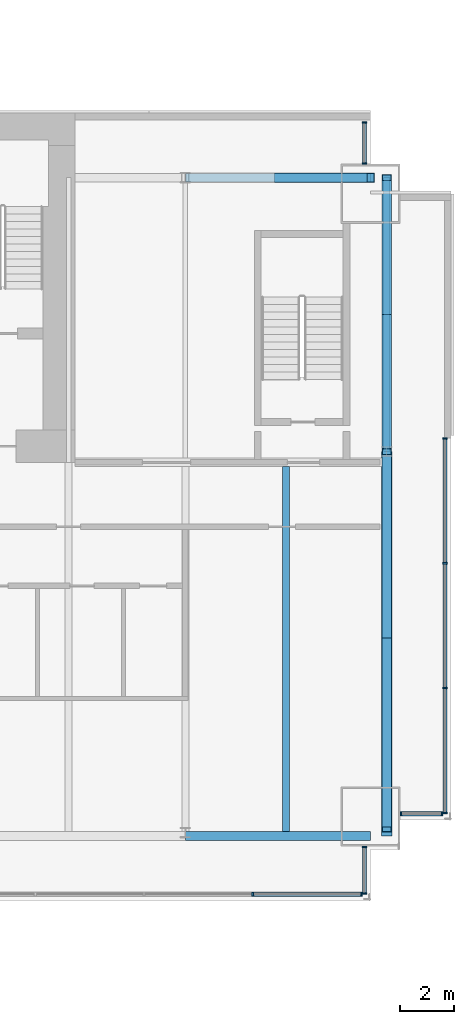
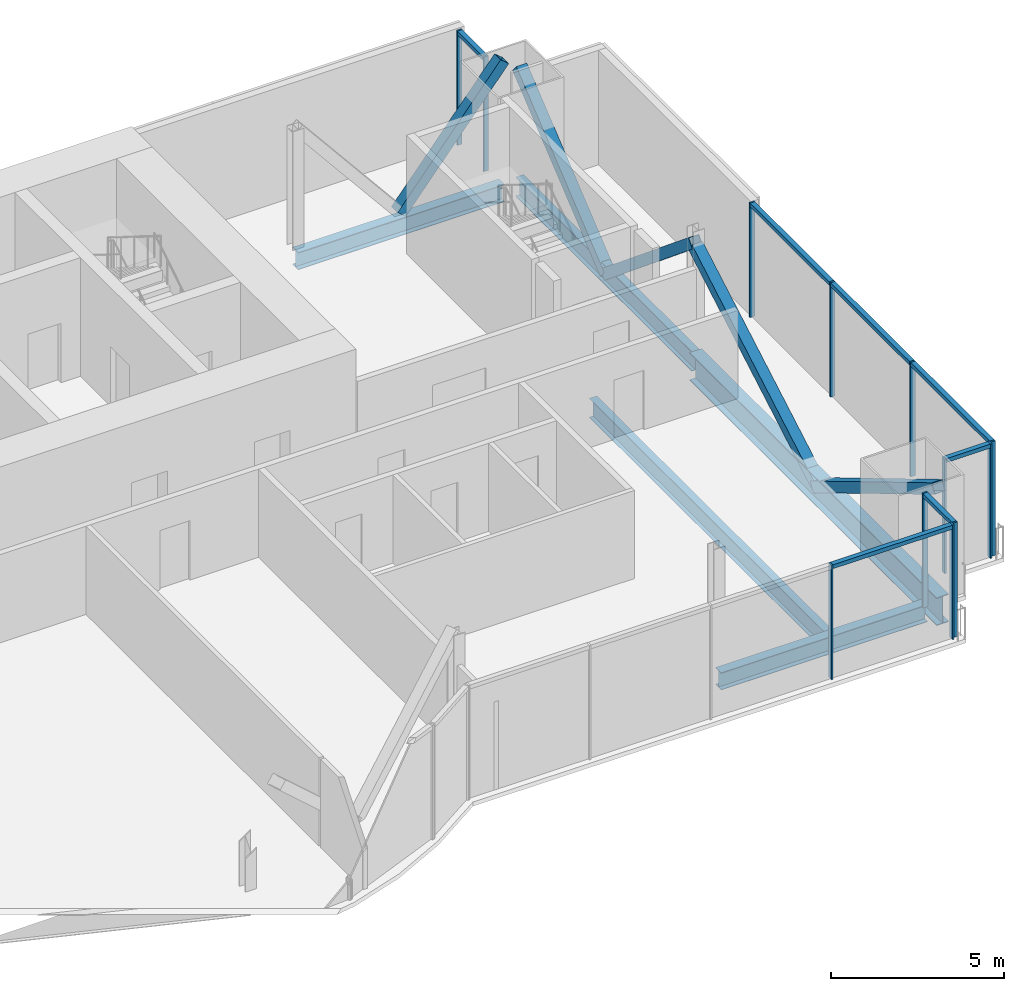
# One storey, part 11 of 19: 24 members, 5 beams, 5 elements without a shape of their own.
"""IFC4 building model written with IfcOpenShell, lengths in metres."""

from ifc_helpers import new_model, si_unit, direction, frame, origin, origin_2d, place, context, subcontext, project, spatial, rectangle, hollow_rectangle, i_section, extrude, material, material_profile, profile_set, type_object, element, aggregate, save


model = new_model("IFC4")

# Units and contexts
model_context = context("Model", 3, precision=1e-05, world=origin(), true_north=direction((0.0, 1.0)))
body_context = subcontext(model_context, "Body", "Model", "MODEL_VIEW")
ifc_project = project(units=[si_unit("LENGTHUNIT", "METRE"), si_unit("AREAUNIT", "SQUARE_METRE"), si_unit("VOLUMEUNIT", "CUBIC_METRE"), si_unit("PLANEANGLEUNIT", "RADIAN"), si_unit("MASSUNIT", "GRAM", prefix="KILO")], contexts=[model_context])

# Site, building, storey
site_placement = place(None, origin())
site = spatial("IfcSite", under=ifc_project, at=site_placement, CompositionType="ELEMENT")
building_placement = place(site_placement, origin())
building = spatial("IfcBuilding", under=site, at=building_placement, Name="Bicima Exchange Tower", CompositionType="ELEMENT")
storey_placement = place(building_placement, frame((0.0, 0.0, 258.199951171875)))
storey = spatial("IfcBuildingStorey", under=building, at=storey_placement, Name="L58", CompositionType="ELEMENT", Elevation=258.199951171875)

# Curtain wall, members
ifc_material_1 = material(Name="Anodised bronze aluminium", Category="aluminium")
curtain_wall_type_1 = type_object("IfcCurtainWallType", Name="End face glass wall", PredefinedType="NOTDEFINED", material=ifc_material_1)
curtain_wall_1_placement = place(storey_placement, origin())
curtain_wall_1 = element("IfcCurtainWall", 1, at=curtain_wall_1_placement, inside=storey, type_object=curtain_wall_type_1, Name="End face glass wall L58 run 19", PredefinedType="NOTDEFINED")
ifc_material_profile_1 = material_profile(ifc_material_1, rectangle(XDim=0.159912109375, YDim=0.06005859375, at=origin_2d()))
ifc_profile_set_1 = profile_set([ifc_material_profile_1], Name="Anodised bronze aluminium")
member_type_1 = type_object("IfcMemberType", Name="End face glass wall mullion 60 x 160", PredefinedType="MULLION", material=ifc_profile_set_1)
member_1_placement = place(storey_placement, frame((35.77001953125, -26.052001953125, 0.0), z_axis=(0.0, 0.0, 1.0), x_axis=(-1.0, 0.0, 0.0)))
member_1 = element("IfcMember", 2, at=member_1_placement, type_object=member_type_1, Name="End face glass wall mullion 1", PredefinedType="MULLION", context=body_context, shape_type="SweptSolid", body=[
    extrude(rectangle(XDim=0.159912109375, YDim=0.06005859375, at=origin_2d()), origin(), (0.0, 0.0, 1.0), 4.050048828125),
])
member_2_placement = place(storey_placement, frame((35.77001953125, -21.40478515625, 0.0), z_axis=(0.0, 0.0, 1.0), x_axis=(-1.0, 0.0, 0.0)))
member_2 = element("IfcMember", 3, at=member_2_placement, type_object=member_type_1, Name="End face glass wall mullion 2", PredefinedType="MULLION", context=body_context, shape_type="SweptSolid", body=[
    extrude(rectangle(XDim=0.159912109375, YDim=0.06005859375, at=origin_2d()), origin(), (0.0, 0.0, 1.0), 4.050048828125),
])
member_3_placement = place(storey_placement, frame((35.77001953125, -16.75732421875, 0.0), z_axis=(0.0, 0.0, 1.0), x_axis=(-1.0, 0.0, 0.0)))
member_3 = element("IfcMember", 4, at=member_3_placement, type_object=member_type_1, Name="End face glass wall mullion 3", PredefinedType="MULLION", context=body_context, shape_type="SweptSolid", body=[
    extrude(rectangle(XDim=0.159912109375, YDim=0.06005859375, at=origin_2d()), origin(), (0.0, 0.0, 1.0), 4.050048828125),
])
member_4_placement = place(storey_placement, frame((35.77001953125, -12.110107421875, 0.0), z_axis=(0.0, 0.0, 1.0), x_axis=(-1.0, 0.0, 0.0)))
member_4 = element("IfcMember", 5, at=member_4_placement, type_object=member_type_1, Name="End face glass wall mullion 4", PredefinedType="MULLION", context=body_context, shape_type="SweptSolid", body=[
    extrude(rectangle(XDim=0.159912109375, YDim=0.06005859375, at=origin_2d()), origin(), (0.0, 0.0, 1.0), 4.050048828125),
])
ifc_material_profile_2 = material_profile(ifc_material_1, rectangle(XDim=0.159912109375, YDim=0.139892578125, at=origin_2d()))
ifc_profile_set_2 = profile_set([ifc_material_profile_2], Name="Anodised bronze aluminium")
member_type_2 = type_object("IfcMemberType", Name="End face glass wall transom 140 x 160", PredefinedType="USERDEFINED", material=ifc_profile_set_2)
member_5_placement = place(storey_placement, frame((35.77001953125, -26.02197265625, 3.97998046875), z_axis=(0.0, 1.0, 0.0), x_axis=(-1.0, 0.0, 0.0)))
member_5 = element("IfcMember", 6, at=member_5_placement, type_object=member_type_2, Name="End face glass wall transom 1.1", ObjectType="TRANSOM", PredefinedType="USERDEFINED", context=body_context, shape_type="SweptSolid", body=[
    extrude(rectangle(XDim=0.159912109375, YDim=0.139892578125, at=origin_2d()), origin(), (0.0, 0.0, 1.0), 4.587158203125),
])
member_6_placement = place(storey_placement, frame((35.77001953125, -21.374755859375, 3.97998046875), z_axis=(0.0, 1.0, 0.0), x_axis=(-1.0, 0.0, 0.0)))
member_6 = element("IfcMember", 7, at=member_6_placement, type_object=member_type_2, Name="End face glass wall transom 2.1", ObjectType="TRANSOM", PredefinedType="USERDEFINED", context=body_context, shape_type="SweptSolid", body=[
    extrude(rectangle(XDim=0.159912109375, YDim=0.139892578125, at=origin_2d()), origin(), (0.0, 0.0, 1.0), 4.58740234375),
])
member_7_placement = place(storey_placement, frame((35.77001953125, -16.727294921875, 3.97998046875), z_axis=(0.0, 1.0, 0.0), x_axis=(-1.0, 0.0, 0.0)))
member_7 = element("IfcMember", 8, at=member_7_placement, type_object=member_type_2, Name="End face glass wall transom 3.1", ObjectType="TRANSOM", PredefinedType="USERDEFINED", context=body_context, shape_type="SweptSolid", body=[
    extrude(rectangle(XDim=0.159912109375, YDim=0.139892578125, at=origin_2d()), origin(), (0.0, 0.0, 1.0), 4.58740234375),
])
aggregate(curtain_wall_1, [member_1, member_2, member_3, member_4, member_5, member_6, member_7])

# Beams
ifc_material_2 = material(Name="Steel ASTM A992 Gr 50", Category="steel")
ifc_material_profile_3 = material_profile(ifc_material_2, i_section(OverallWidth=0.256591796875, OverallDepth=0.693359375, WebThickness=0.014404296875, FlangeThickness=0.023681640625, at=origin_2d()))
ifc_profile_set_3 = profile_set([ifc_material_profile_3], Name="Steel ASTM A992 Gr 50")
beam_type_1 = type_object("IfcBeamType", Name="End girder W27x114", PredefinedType="BEAM", material=ifc_profile_set_3)
beam_1_placement = place(storey_placement, frame((33.60009765625, -2.39990234375, -0.49658203125), z_axis=(0.0, -1.0, 0.0), x_axis=(1.0, 0.0, 0.0)))
element("IfcBeam", 9, at=beam_1_placement, inside=storey, type_object=beam_type_1, Name="End girder", PredefinedType="BEAM", context=body_context, shape_type="SweptSolid", body=[
    extrude(i_section(OverallWidth=0.256591796875, OverallDepth=0.693359375, WebThickness=0.014404296875, FlangeThickness=0.023681640625, at=origin_2d()), origin(), (0.0, 0.0, 1.0), 10.2001953125),
])
ifc_material_profile_4 = material_profile(ifc_material_2, i_section(OverallWidth=0.4013671875, OverallDepth=0.990478515625, WebThickness=0.0166015625, FlangeThickness=0.031005859375, at=origin_2d()))
ifc_profile_set_4 = profile_set([ifc_material_profile_4], Name="Steel ASTM A992 Gr 50")
beam_type_2 = type_object("IfcBeamType", Name="End girder W40x215", PredefinedType="BEAM", material=ifc_profile_set_4)
beam_2_placement = place(storey_placement, frame((33.60009765625, -12.60009765625, -0.645263671875), z_axis=(0.0, -1.0, 0.0), x_axis=(1.0, 0.0, 0.0)))
element("IfcBeam", 10, at=beam_2_placement, inside=storey, type_object=beam_type_2, Name="End girder", PredefinedType="BEAM", context=body_context, shape_type="SweptSolid", body=[
    extrude(i_section(OverallWidth=0.4013671875, OverallDepth=0.990478515625, WebThickness=0.0166015625, FlangeThickness=0.031005859375, at=origin_2d()), origin(), (0.0, 0.0, 1.0), 14.31201171875),
])
ifc_material_profile_5 = material_profile(ifc_material_2, i_section(OverallWidth=0.25390625, OverallDepth=0.67822265625, WebThickness=0.01171875, FlangeThickness=0.016357421875, at=origin_2d()))
ifc_profile_set_5 = profile_set([ifc_material_profile_5], Name="Steel ASTM A992 Gr 50")
beam_type_3 = type_object("IfcBeamType", Name="Floor beam W27x84", PredefinedType="JOIST", material=ifc_profile_set_5)
beam_3_placement = place(storey_placement, frame((29.85009765625, -13.15234375, -0.489013671875), z_axis=(0.0, -1.0, 0.0), x_axis=(1.0, 0.0, 0.0)))
element("IfcBeam", 11, at=beam_3_placement, inside=storey, type_object=beam_type_3, Name="Floor beam", PredefinedType="JOIST", context=body_context, shape_type="SweptSolid", body=[
    extrude(i_section(OverallWidth=0.25390625, OverallDepth=0.67822265625, WebThickness=0.01171875, FlangeThickness=0.016357421875, at=origin_2d()), origin(), (0.0, 0.0, 1.0), 13.59716796875),
])
ifc_material_profile_6 = material_profile(ifc_material_2, i_section(OverallWidth=0.3251953125, OverallDepth=0.612060546875, WebThickness=0.0126953125, FlangeThickness=0.01904296875, at=origin_2d()))
ifc_profile_set_6 = profile_set([ifc_material_profile_6], Name="Steel ASTM A992 Gr 50")
beam_type_4 = type_object("IfcBeamType", Name="Front girder W24x104", PredefinedType="BEAM", material=ifc_profile_set_6)
beam_4_placement = place(storey_placement, frame((26.10009765625, -26.912109375, -0.4560546875), z_axis=(1.0, 0.0, 0.0), x_axis=(0.0, 1.0, 0.0)))
element("IfcBeam", 12, at=beam_4_placement, inside=storey, type_object=beam_type_4, Name="Front girder", PredefinedType="BEAM", context=body_context, shape_type="SweptSolid", body=[
    extrude(i_section(OverallWidth=0.3251953125, OverallDepth=0.612060546875, WebThickness=0.0126953125, FlangeThickness=0.01904296875, at=origin_2d()), origin(), (0.0, 0.0, 1.0), 6.89990234375),
])

# Curtain wall, members
curtain_wall_type_2 = type_object("IfcCurtainWallType", Name="Front glass wall", PredefinedType="NOTDEFINED", material=ifc_material_1)
curtain_wall_2_placement = place(storey_placement, origin())
curtain_wall_2 = element("IfcCurtainWall", 13, at=curtain_wall_2_placement, inside=storey, type_object=curtain_wall_type_2, Name="Front glass wall L58 run 16", PredefinedType="NOTDEFINED")
member_type_3 = type_object("IfcMemberType", Name="Front glass wall mullion 60 x 160", PredefinedType="MULLION", material=ifc_profile_set_1)
member_8_placement = place(storey_placement, frame((28.610595703125, -29.08203125, 0.0), z_axis=(0.0, 0.0, 1.0), x_axis=(0.0, 1.0, 0.0)))
member_8 = element("IfcMember", 14, at=member_8_placement, type_object=member_type_3, Name="Front glass wall mullion 4", PredefinedType="MULLION", context=body_context, shape_type="SweptSolid", body=[
    extrude(rectangle(XDim=0.159912109375, YDim=0.06005859375, at=origin_2d()), origin(), (0.0, 0.0, 1.0), 4.050048828125),
])
member_9_placement = place(storey_placement, frame((32.659912109375, -29.08203125, 0.0), z_axis=(0.0, 0.0, 1.0), x_axis=(0.0, 1.0, 0.0)))
member_9 = element("IfcMember", 15, at=member_9_placement, type_object=member_type_3, Name="Front glass wall mullion 5", PredefinedType="MULLION", context=body_context, shape_type="SweptSolid", body=[
    extrude(rectangle(XDim=0.159912109375, YDim=0.06005859375, at=origin_2d()), origin(), (0.0, 0.0, 1.0), 4.050048828125),
])

curtain_wall_3_placement = place(storey_placement, origin())
curtain_wall_3 = element("IfcCurtainWall", 16, at=curtain_wall_3_placement, inside=storey, type_object=curtain_wall_type_2, Name="Front glass wall L58 run 17", PredefinedType="NOTDEFINED")
member_10_placement = place(storey_placement, frame((32.77001953125, -29.052001953125, 0.0), z_axis=(0.0, 0.0, 1.0), x_axis=(-1.0, 0.0, 0.0)))
member_10 = element("IfcMember", 17, at=member_10_placement, type_object=member_type_3, Name="Front glass wall mullion 1", PredefinedType="MULLION", context=body_context, shape_type="SweptSolid", body=[
    extrude(rectangle(XDim=0.159912109375, YDim=0.06005859375, at=origin_2d()), origin(), (0.0, 0.0, 1.0), 4.050048828125),
])
member_11_placement = place(storey_placement, frame((32.77001953125, -27.320068359375, 0.0), z_axis=(0.0, 0.0, 1.0), x_axis=(-1.0, 0.0, 0.0)))
member_11 = element("IfcMember", 18, at=member_11_placement, type_object=member_type_3, Name="Front glass wall mullion 2", PredefinedType="MULLION", context=body_context, shape_type="SweptSolid", body=[
    extrude(rectangle(XDim=0.159912109375, YDim=0.06005859375, at=origin_2d()), origin(), (0.0, 0.0, 1.0), 4.050048828125),
])

curtain_wall_4_placement = place(storey_placement, origin())
curtain_wall_4 = element("IfcCurtainWall", 19, at=curtain_wall_4_placement, inside=storey, type_object=curtain_wall_type_2, Name="Front glass wall L58 run 18", PredefinedType="NOTDEFINED")
member_12_placement = place(storey_placement, frame((34.1298828125, -26.08203125, 0.0), z_axis=(0.0, 0.0, 1.0), x_axis=(0.0, 1.0, 0.0)))
member_12 = element("IfcMember", 20, at=member_12_placement, type_object=member_type_3, Name="Front glass wall mullion 1", PredefinedType="MULLION", context=body_context, shape_type="SweptSolid", body=[
    extrude(rectangle(XDim=0.159912109375, YDim=0.06005859375, at=origin_2d()), origin(), (0.0, 0.0, 1.0), 4.050048828125),
])
member_13_placement = place(storey_placement, frame((35.659912109375, -26.08203125, 0.0), z_axis=(0.0, 0.0, 1.0), x_axis=(0.0, 1.0, 0.0)))
member_13 = element("IfcMember", 21, at=member_13_placement, type_object=member_type_3, Name="Front glass wall mullion 2", PredefinedType="MULLION", context=body_context, shape_type="SweptSolid", body=[
    extrude(rectangle(XDim=0.159912109375, YDim=0.06005859375, at=origin_2d()), origin(), (0.0, 0.0, 1.0), 4.050048828125),
])

curtain_wall_5_placement = place(storey_placement, origin())
curtain_wall_5 = element("IfcCurtainWall", 22, at=curtain_wall_5_placement, inside=storey, type_object=curtain_wall_type_2, Name="Front glass wall L58 run 20", PredefinedType="NOTDEFINED")
member_14_placement = place(storey_placement, frame((32.77001953125, -1.8701171875, 0.0), z_axis=(0.0, 0.0, 1.0), x_axis=(-1.0, 0.0, 0.0)))
member_14 = element("IfcMember", 23, at=member_14_placement, type_object=member_type_3, Name="Front glass wall mullion 1", PredefinedType="MULLION", context=body_context, shape_type="SweptSolid", body=[
    extrude(rectangle(XDim=0.159912109375, YDim=0.06005859375, at=origin_2d()), origin(), (0.0, 0.0, 1.0), 4.050048828125),
])
member_15_placement = place(storey_placement, frame((32.77001953125, -0.340087890625, 0.0), z_axis=(0.0, 0.0, 1.0), x_axis=(-1.0, 0.0, 0.0)))
member_15 = element("IfcMember", 24, at=member_15_placement, type_object=member_type_3, Name="Front glass wall mullion 2", PredefinedType="MULLION", context=body_context, shape_type="SweptSolid", body=[
    extrude(rectangle(XDim=0.159912109375, YDim=0.06005859375, at=origin_2d()), origin(), (0.0, 0.0, 1.0), 4.050048828125),
])

# Member
member_type_4 = type_object("IfcMemberType", Name="Front glass wall transom 140 x 160", PredefinedType="USERDEFINED", material=ifc_profile_set_2)
member_16_placement = place(storey_placement, frame((28.640380859375, -29.08203125, 3.97998046875), z_axis=(1.0, 0.0, 0.0), x_axis=(0.0, 1.0, 0.0)))
member_16 = element("IfcMember", 25, at=member_16_placement, type_object=member_type_4, Name="Front glass wall transom 4.1", ObjectType="TRANSOM", PredefinedType="USERDEFINED", context=body_context, shape_type="SweptSolid", body=[
    extrude(rectangle(XDim=0.159912109375, YDim=0.139892578125, at=origin_2d()), origin(), (0.0, 0.0, 1.0), 3.989501953125),
])

aggregate(curtain_wall_2, [member_8, member_9, member_16])

member_17_placement = place(storey_placement, frame((32.77001953125, -29.02197265625, 3.97998046875), z_axis=(0.0, 1.0, 0.0), x_axis=(-1.0, 0.0, 0.0)))
member_17 = element("IfcMember", 26, at=member_17_placement, type_object=member_type_4, Name="Front glass wall transom 1.1", ObjectType="TRANSOM", PredefinedType="USERDEFINED", context=body_context, shape_type="SweptSolid", body=[
    extrude(rectangle(XDim=0.159912109375, YDim=0.139892578125, at=origin_2d()), origin(), (0.0, 0.0, 1.0), 1.671875),
])

aggregate(curtain_wall_3, [member_10, member_11, member_17])

member_18_placement = place(storey_placement, frame((34.159912109375, -26.08203125, 3.97998046875), z_axis=(1.0, 0.0, 0.0), x_axis=(0.0, 1.0, 0.0)))
member_18 = element("IfcMember", 27, at=member_18_placement, type_object=member_type_4, Name="Front glass wall transom 1.1", ObjectType="TRANSOM", PredefinedType="USERDEFINED", context=body_context, shape_type="SweptSolid", body=[
    extrude(rectangle(XDim=0.159912109375, YDim=0.139892578125, at=origin_2d()), origin(), (0.0, 0.0, 1.0), 1.469970703125),
])

aggregate(curtain_wall_4, [member_12, member_13, member_18])

member_19_placement = place(storey_placement, frame((32.77001953125, -1.840087890625, 3.97998046875), z_axis=(0.0, 1.0, 0.0), x_axis=(-1.0, 0.0, 0.0)))
member_19 = element("IfcMember", 28, at=member_19_placement, type_object=member_type_4, Name="Front glass wall transom 1.1", ObjectType="TRANSOM", PredefinedType="USERDEFINED", context=body_context, shape_type="SweptSolid", body=[
    extrude(rectangle(XDim=0.159912109375, YDim=0.139892578125, at=origin_2d()), origin(), (0.0, 0.0, 1.0), 1.469970703125),
])

aggregate(curtain_wall_5, [member_14, member_15, member_19])

# Members
ifc_material_3 = material(Name="Steel ASTM A572 Gr 50", Category="steel")
ifc_material_profile_7 = material_profile(ifc_material_3, hollow_rectangle(XDim=0.355712890625, YDim=0.355712890625, WallThickness=0.0146484375, at=origin_2d()))
ifc_profile_set_7 = profile_set([ifc_material_profile_7], Name="Steel ASTM A572 Gr 50")
member_type_5 = type_object("IfcMemberType", Name="Mega brace HSS14x14x5/8", PredefinedType="BRACE", material=ifc_profile_set_7)
member_20_placement = place(storey_placement, frame((29.550048828125, -2.39990234375, 0.0), z_axis=(0.63473846547, 0.0, 0.772727041362), x_axis=(0.0, 1.0, 0.0)))
element("IfcMember", 29, at=member_20_placement, inside=storey, type_object=member_type_5, Name="Mega brace rear", PredefinedType="BRACE", context=body_context, shape_type="SweptSolid", body=[
    extrude(hollow_rectangle(XDim=0.355712890625, YDim=0.355712890625, WallThickness=0.0146484375, at=origin_2d()), origin(), (0.0, 0.0, 1.0), 5.435302734375),
])
for number, where, z_axis, x_axis, name in (
    (30, (33.60009765625, -7.5, -0.49658203125), (0.0, -0.771939835586, 0.635695595576), (1.0, 0.0, 0.0), "Mega brace east end"),
    (31, (33.60009765625, -7.5, -0.49658203125), (0.0, 0.771939835586, 0.635695595576), (-1.0, 0.0, 0.0), "Mega brace east end"),
):
    element("IfcMember", number, at=place(storey_placement, frame(where, z_axis=z_axis, x_axis=x_axis)), inside=storey, type_object=member_type_5, Name=name, PredefinedType="BRACE", context=body_context, shape_type="SweptSolid", body=[
        extrude(hollow_rectangle(XDim=0.355712890625, YDim=0.355712890625, WallThickness=0.0146484375, at=origin_2d()), origin(), (0.0, 0.0, 1.0), 6.60693359375),
    ])
member_21_placement = place(storey_placement, frame((33.60009765625, -19.634033203125, -0.645263671875), z_axis=(0.0, -0.858590091642, 0.512662710302), x_axis=(1.0, 0.0, 0.0)))
element("IfcMember", 32, at=member_21_placement, inside=storey, type_object=member_type_5, Name="Mega brace east end", PredefinedType="BRACE", context=body_context, shape_type="SweptSolid", body=[
    extrude(hollow_rectangle(XDim=0.355712890625, YDim=0.355712890625, WallThickness=0.0146484375, at=origin_2d()), origin(), (0.0, 0.0, 1.0), 8.1923828125),
])
member_22_placement = place(storey_placement, frame((33.60009765625, -19.8779296875, -0.645263671875), z_axis=(0.0, 0.866123664616, 0.499829768614), x_axis=(-1.0, 0.0, 0.0)))
element("IfcMember", 33, at=member_22_placement, inside=storey, type_object=member_type_5, Name="Mega brace east end", PredefinedType="BRACE", context=body_context, shape_type="SweptSolid", body=[
    extrude(hollow_rectangle(XDim=0.355712890625, YDim=0.355712890625, WallThickness=0.0146484375, at=origin_2d()), origin(), (0.0, 0.0, 1.0), 8.40283203125),
])

# Beam
beam_type_5 = type_object("IfcBeamType", Name="Rear girder W24x104", PredefinedType="BEAM", material=ifc_profile_set_6)
beam_5_placement = place(storey_placement, frame((26.10009765625, -2.39990234375, -0.4560546875), z_axis=(1.0, 0.0, 0.0), x_axis=(0.0, 1.0, 0.0)))
element("IfcBeam", 34, at=beam_5_placement, inside=storey, type_object=beam_type_5, Name="Rear girder", PredefinedType="BEAM", context=body_context, shape_type="SweptSolid", body=[
    extrude(i_section(OverallWidth=0.3251953125, OverallDepth=0.612060546875, WebThickness=0.0126953125, FlangeThickness=0.01904296875, at=origin_2d()), origin(), (0.0, 0.0, 1.0), 6.89990234375),
])

save(model, "model.ifc")
